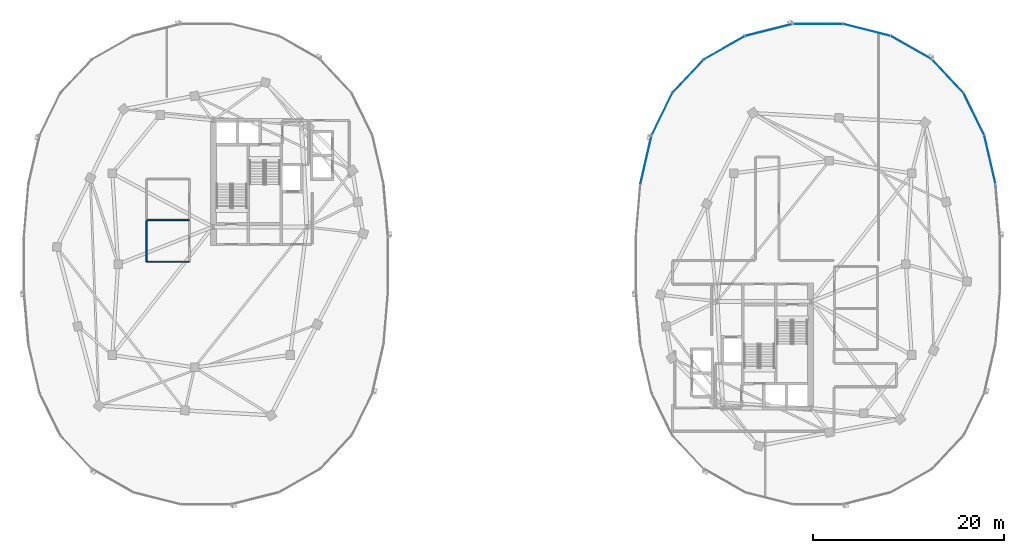
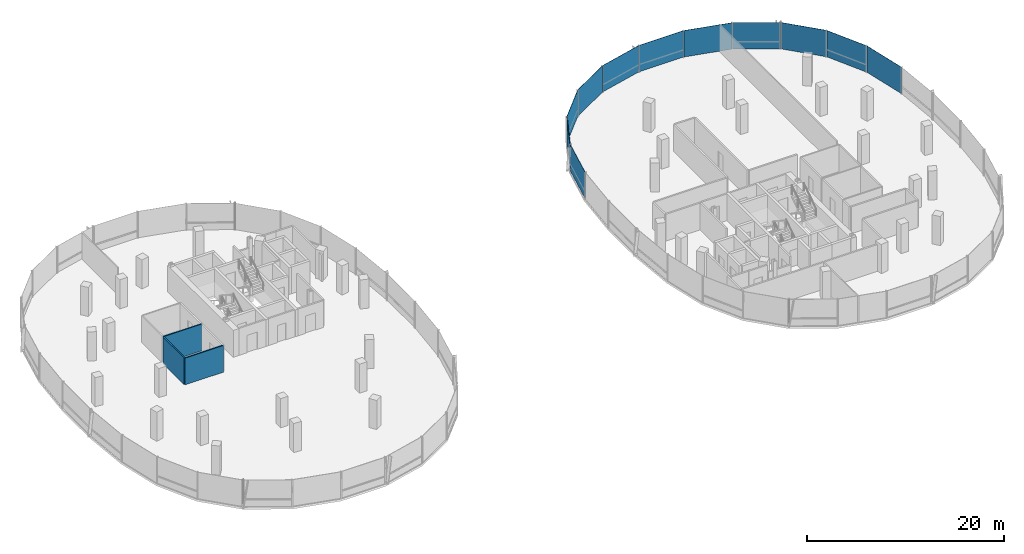
# One storey, part 14 of 24: 11 plates, 3 walls, 2 elements without a shape of their own.
"""IFC4 building model written with IfcOpenShell, lengths in metres."""

from ifc_helpers import new_model, si_unit, direction, frame, frame_2d, origin, origin_2d, place, context, subcontext, project, spatial, rectangle, extrude, material, layer, layer_set, type_object, element, aggregate, save


model = new_model("IFC4")

# Units and contexts
model_context = context("Model", 3, precision=1e-05, world=origin(), true_north=direction((0.0, 1.0)))
body_context = subcontext(model_context, "Body", "Model", "MODEL_VIEW")
ifc_project = project(units=[si_unit("LENGTHUNIT", "METRE"), si_unit("AREAUNIT", "SQUARE_METRE"), si_unit("VOLUMEUNIT", "CUBIC_METRE"), si_unit("PLANEANGLEUNIT", "RADIAN"), si_unit("MASSUNIT", "GRAM", prefix="KILO"), si_unit("THERMODYNAMICTEMPERATUREUNIT", "KELVIN"), si_unit("POWERUNIT", "WATT")], contexts=[model_context])

# Site, building, storey
site_placement = place(None, origin())
site = spatial("IfcSite", under=ifc_project, at=site_placement, CompositionType="ELEMENT")
building_placement = place(site_placement, origin())
building = spatial("IfcBuilding", under=site, at=building_placement, Name="Cundina Bronze Exchange", CompositionType="ELEMENT")
storey_placement = place(building_placement, frame((0.0, 0.0, 231.39990234375)))
storey = spatial("IfcBuildingStorey", under=building, at=storey_placement, Name="L61", CompositionType="ELEMENT", Elevation=231.39990234375)

# Curtain wall, plates
ifc_material_1 = material(Name="Anodised Bronze Aluminium 6063-T6", Category="aluminium")
curtain_wall_type = type_object("IfcCurtainWallType", Name="CWS-UPP-OFF", PredefinedType="NOTDEFINED", material=ifc_material_1)
curtain_wall_1_placement = place(storey_placement, origin())
curtain_wall_1 = element("IfcCurtainWall", 1, at=curtain_wall_1_placement, inside=storey, type_object=curtain_wall_type, Name="L61 CW-05 Curtain Wall Run CWR-L61-E1", PredefinedType="NOTDEFINED")
ifc_material_2 = material(Name="Heat-Strengthened Solar-Control Bronze Safety Glass 28mm", Category="glass")
ifc_layer_1 = layer(ifc_material_2, 0.028076171875, Name="Heat-Strengthened Solar-Control Bronze Safety Glass 28mm", Category="glass")
ifc_layer_set_1 = layer_set([ifc_layer_1], Name="Heat-Strengthened Solar-Control Bronze Safety Glass 28mm")
plate_type_1 = type_object("IfcPlateType", Name="PLT-GLZ-VIS28", PredefinedType="CURTAIN_PANEL", material=ifc_layer_set_1)
plate_1_placement = place(storey_placement, frame((49.98388671875, 10.92578125, 0.02001953125), z_axis=(0.0, 0.0, 1.0), x_axis=(-0.223284141459, 0.974753400698, 0.0)))
plate_1 = element("IfcPlate", 2, at=plate_1_placement, type_object=plate_type_1, Name="CW-05 Glazed Panel 2", PredefinedType="CURTAIN_PANEL", context=body_context, shape_type="SweptSolid", body=[
    extrude(rectangle(XDim=5.167724609375, YDim=0.028076171875, at=origin_2d()), origin(), (0.0, 0.0, 1.0), 3.280029296875),
])
plate_2_placement = place(storey_placement, frame((48.314697265625, 15.686767578125, 0.02001953125), z_axis=(0.0, 0.0, 1.0), x_axis=(-0.440503330345, 0.897750976582, 0.0)))
plate_2 = element("IfcPlate", 3, at=plate_2_placement, type_object=plate_type_1, Name="CW-05 Glazed Panel 3", PredefinedType="CURTAIN_PANEL", context=body_context, shape_type="SweptSolid", body=[
    extrude(rectangle(XDim=4.863525390625, YDim=0.028076171875, at=origin_2d()), origin(), (0.0, 0.0, 1.0), 3.280029296875),
])
plate_3_placement = place(storey_placement, frame((41.769287109375, 22.64111328125, 0.02001953125), z_axis=(0.0, 0.0, 1.0), x_axis=(-0.869572506985, 0.493805280547, 0.0)))
plate_3 = element("IfcPlate", 4, at=plate_3_placement, type_object=plate_type_1, Name="CW-05 Glazed Panel 5", PredefinedType="CURTAIN_PANEL", context=body_context, shape_type="SweptSolid", body=[
    extrude(rectangle(XDim=4.907958984375, YDim=0.028076171875, at=origin_2d()), origin(), (0.0, 0.0, 1.0), 3.280029296875),
])
plate_4_placement = place(storey_placement, frame((37.11279296875, 24.49609375, 0.02001953125), z_axis=(0.0, 0.0, 1.0), x_axis=(-0.969731542251, 0.244173577528, 0.0)))
plate_4 = element("IfcPlate", 5, at=plate_4_placement, type_object=plate_type_1, Name="CW-05 Glazed Panel 6", PredefinedType="CURTAIN_PANEL", context=body_context, shape_type="SweptSolid", body=[
    extrude(rectangle(XDim=5.0908203125, YDim=0.028076171875, at=origin_2d()), origin(), (0.0, 0.0, 1.0), 3.280029296875),
])
plate_5_placement = place(storey_placement, frame((32.0, 25.125, 0.02001953125), z_axis=(0.0, 0.0, 1.0), x_axis=(-1.0, 0.0, 0.0)))
plate_5 = element("IfcPlate", 6, at=plate_5_placement, type_object=plate_type_1, Name="CW-05 Glazed Panel 7", PredefinedType="CURTAIN_PANEL", context=body_context, shape_type="SweptSolid", body=[
    extrude(rectangle(XDim=5.16796875, YDim=0.028076171875, at=origin_2d()), origin(), (0.0, 0.0, 1.0), 3.280029296875),
])

curtain_wall_2_placement = place(storey_placement, origin())
curtain_wall_2 = element("IfcCurtainWall", 7, at=curtain_wall_2_placement, inside=storey, type_object=curtain_wall_type, Name="L61 CW-05 Curtain Wall Run CWR-L61-E2", PredefinedType="NOTDEFINED")
plate_6_placement = place(storey_placement, frame((26.88720703125, 24.49609375, 0.02001953125), z_axis=(0.0, 0.0, 1.0), x_axis=(-0.969731542251, -0.244173577528, 0.0)))
plate_6 = element("IfcPlate", 8, at=plate_6_placement, type_object=plate_type_1, Name="CW-05 Glazed Panel 1", PredefinedType="CURTAIN_PANEL", context=body_context, shape_type="SweptSolid", body=[
    extrude(rectangle(XDim=5.0908203125, YDim=0.028076171875, at=origin_2d()), origin(), (0.0, 0.0, 1.0), 3.280029296875),
])
plate_7_placement = place(storey_placement, frame((22.230712890625, 22.64111328125, 0.02001953125), z_axis=(0.0, 0.0, 1.0), x_axis=(-0.869572506985, -0.493805280547, 0.0)))
plate_7 = element("IfcPlate", 9, at=plate_7_placement, type_object=plate_type_1, Name="CW-05 Glazed Panel 2", PredefinedType="CURTAIN_PANEL", context=body_context, shape_type="SweptSolid", body=[
    extrude(rectangle(XDim=4.907958984375, YDim=0.028076171875, at=origin_2d()), origin(), (0.0, 0.0, 1.0), 3.280029296875),
])
plate_8_placement = place(storey_placement, frame((15.685302734375, 15.686767578125, 0.02001953125), z_axis=(0.0, 0.0, 1.0), x_axis=(-0.440503330345, -0.897750976582, 0.0)))
plate_8 = element("IfcPlate", 10, at=plate_8_placement, type_object=plate_type_1, Name="CW-05 Glazed Panel 4", PredefinedType="CURTAIN_PANEL", context=body_context, shape_type="SweptSolid", body=[
    extrude(rectangle(XDim=4.863525390625, YDim=0.028076171875, at=origin_2d()), origin(), (0.0, 0.0, 1.0), 3.280029296875),
])
plate_9_placement = place(storey_placement, frame((14.01611328125, 10.92578125, 0.02001953125), z_axis=(0.0, 0.0, 1.0), x_axis=(-0.223284141459, -0.974753400698, 0.0)))
plate_9 = element("IfcPlate", 11, at=plate_9_placement, type_object=plate_type_1, Name="CW-05 Glazed Panel 5", PredefinedType="CURTAIN_PANEL", context=body_context, shape_type="SweptSolid", body=[
    extrude(rectangle(XDim=5.167724609375, YDim=0.028076171875, at=origin_2d()), origin(), (0.0, 0.0, 1.0), 3.280029296875),
])

# Plate
ifc_material_3 = material(Name="Dark Bronze Spandrel Glass Panel 32mm", Category="glass")
ifc_layer_2 = layer(ifc_material_3, 0.031982421875, Name="Dark Bronze Spandrel Glass Panel 32mm", Category="glass")
ifc_layer_set_2 = layer_set([ifc_layer_2], Name="Dark Bronze Spandrel Glass Panel 32mm")
plate_type_2 = type_object("IfcPlateType", Name="PLT-SPN-BRZ32", PredefinedType="CURTAIN_PANEL", material=ifc_layer_set_2)
plate_10_placement = place(storey_placement, frame((45.5791015625, 19.6552734375, 0.02001953125), z_axis=(0.0, 0.0, 1.0), x_axis=(-0.684343512797, 0.72915976061, 0.0)))
plate_10 = element("IfcPlate", 12, at=plate_10_placement, type_object=plate_type_2, Name="CW-05 Glazed Panel 4", PredefinedType="CURTAIN_PANEL", context=body_context, shape_type="SweptSolid", body=[
    extrude(rectangle(XDim=4.773193359375, YDim=0.031982421875, at=origin_2d()), origin(), (0.0, 0.0, 1.0), 3.280029296875),
])

aggregate(curtain_wall_1, [plate_1, plate_2, plate_10, plate_3, plate_4, plate_5])

plate_11_placement = place(storey_placement, frame((18.4208984375, 19.6552734375, 0.02001953125), z_axis=(0.0, 0.0, 1.0), x_axis=(-0.684343512797, -0.72915976061, 0.0)))
plate_11 = element("IfcPlate", 13, at=plate_11_placement, type_object=plate_type_2, Name="CW-05 Glazed Panel 3", PredefinedType="CURTAIN_PANEL", context=body_context, shape_type="SweptSolid", body=[
    extrude(rectangle(XDim=4.773193359375, YDim=0.031982421875, at=origin_2d()), origin(), (0.0, 0.0, 1.0), 3.280029296875),
])

aggregate(curtain_wall_2, [plate_6, plate_7, plate_11, plate_8, plate_9])

# Walls
ifc_material_4 = material(Name="Moisture-Resistant Masonry Block Grade M15", Category="masonry")
ifc_layer_3 = layer(ifc_material_4, 0.139892578125, Name="Moisture-Resistant Masonry Block Grade M15", Category="masonry")
ifc_layer_set_3 = layer_set([ifc_layer_3], Name="Moisture-Resistant Masonry Block Grade M15")
wall_type = type_object("IfcWallType", Name="WL-WET-140", PredefinedType="PARTITIONING", material=ifc_layer_set_3)
wall_placement = place(storey_placement, frame((-38.239990234375, 0.27001953125, 0.0), z_axis=(0.0, 0.0, 1.0), x_axis=(0.0, 1.0, 0.0)))
element("IfcWall", 14, at=wall_placement, inside=storey, type_object=wall_type, Name="L61 Interior Partition 009", PredefinedType="PARTITIONING", context=body_context, shape_type="SweptSolid", body=[
    extrude(rectangle(XDim=4.27490234375, YDim=0.139892578125, at=frame_2d((2.137451171875, 0.0))), origin(), (0.0, 0.0, 1.0), 3.320068359375),
])
for number, where, z_axis, x_axis, name in (
    (15, (-38.219970703125, 0.25, 0.0), (0.0, 0.0, 1.0), (1.0, 0.0, 0.0), "L61 Interior Partition 011"),
    (16, (-38.219970703125, 4.6298828125, 0.0), (0.0, 0.0, 1.0), (1.0, 0.0, 0.0), "L61 Interior Partition 012"),
):
    element("IfcWall", number, at=place(storey_placement, frame(where, z_axis=z_axis, x_axis=x_axis)), inside=storey, type_object=wall_type, Name=name, PredefinedType="PARTITIONING", context=body_context, shape_type="SweptSolid", body=[
        extrude(rectangle(XDim=4.47998046875, YDim=0.139892578125, at=frame_2d((2.239990234375, 0.0))), origin(), (0.0, 0.0, 1.0), 3.320068359375),
    ])

save(model, "model.ifc")
